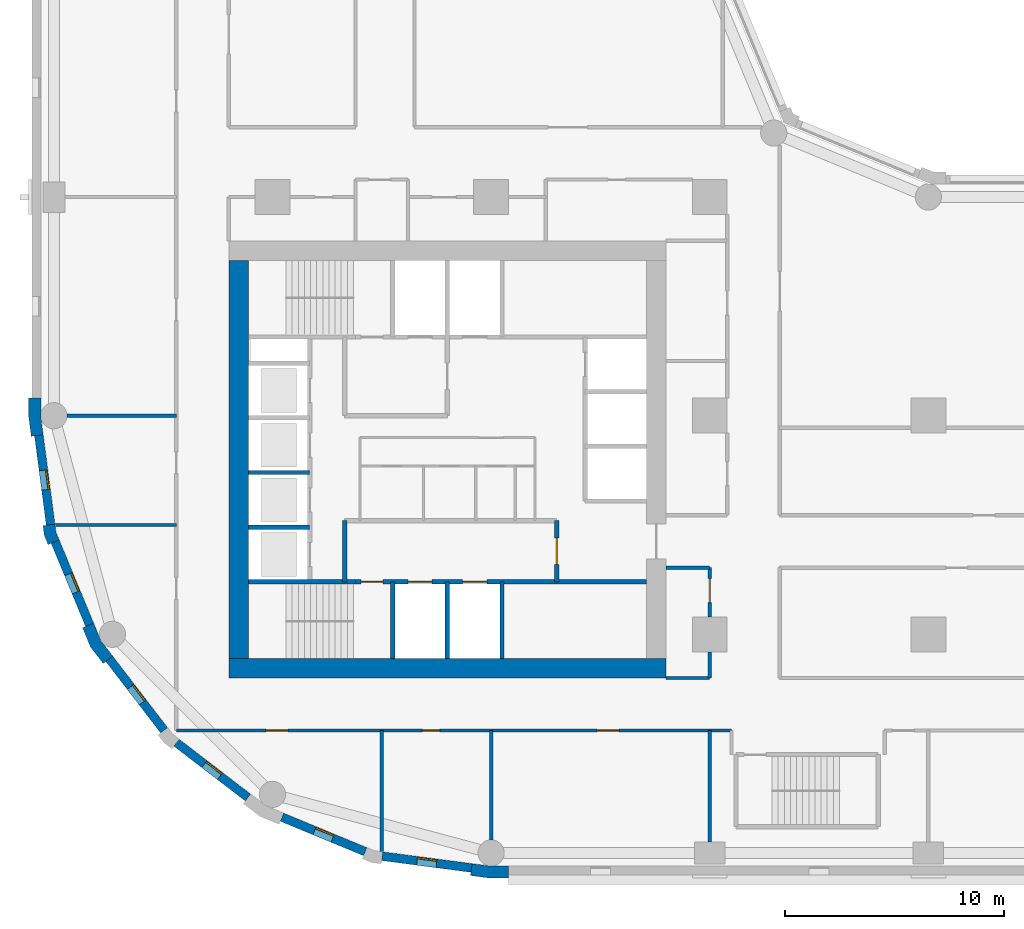
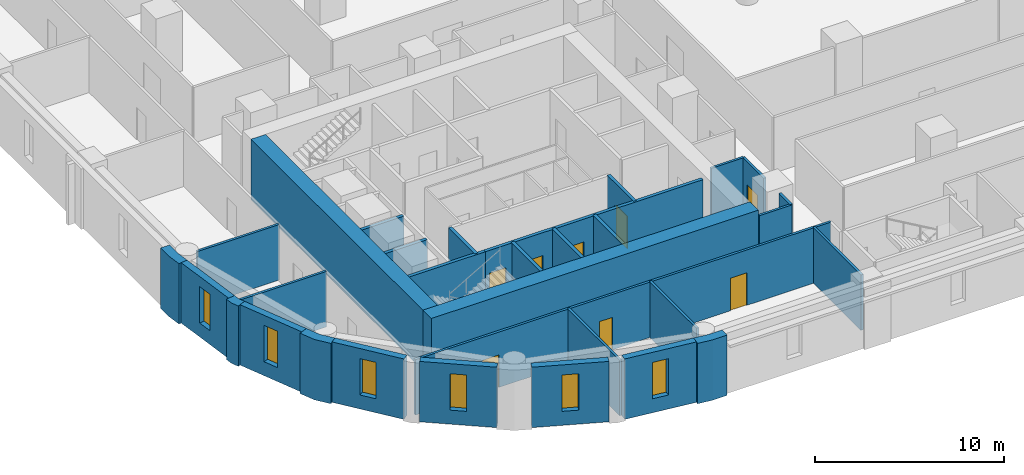
# One storey, part 2 of 11: 31 walls, 8 doors, 6 windows, 14 openings.
"""IFC4 building model written with IfcOpenShell, lengths in metres."""

from ifc_helpers import new_model, si_unit, direction, frame, frame_2d, origin, place, context, subcontext, project, spatial, polyline, rectangle, outline, extrude, material, layer, layer_set, type_object, element, fill, save


model = new_model("IFC4")

# Units and contexts
model_context = context("Model", 3, precision=1e-05, world=origin(), true_north=direction((0.0, 1.0)))
body_context = subcontext(model_context, "Body", "Model", "MODEL_VIEW")
ifc_project = project(units=[si_unit("LENGTHUNIT", "METRE"), si_unit("AREAUNIT", "SQUARE_METRE"), si_unit("VOLUMEUNIT", "CUBIC_METRE"), si_unit("PLANEANGLEUNIT", "RADIAN"), si_unit("MASSUNIT", "GRAM", prefix="KILO")], contexts=[model_context])

# Site, building, storey
site_placement = place(None, origin())
site = spatial("IfcSite", under=ifc_project, at=site_placement, CompositionType="ELEMENT")
building_placement = place(site_placement, origin())
building = spatial("IfcBuilding", under=site, at=building_placement, Name="Qaws Garden Tower", CompositionType="ELEMENT")
storey_placement = place(building_placement, frame((0.0, 0.0, 31.5)))
storey = spatial("IfcBuildingStorey", under=building, at=storey_placement, Name="L07", CompositionType="ELEMENT", Elevation=31.5)

# Wall, opening, window
ifc_material_1 = material(Name="Clay facing brick masonry", Category="masonry")
ifc_layer_1 = layer(ifc_material_1, 0.39990234375)
ifc_layer_set_1 = layer_set([ifc_layer_1], Name="Clay facing brick masonry")
wall_type_1 = type_object("IfcWallType", Name="Brick infill wall 400", PredefinedType="SOLIDWALL", material=ifc_layer_set_1)
wall_1_placement = place(storey_placement, frame((-0.688720703125, 19.102294921875, 0.0), z_axis=(0.0, 0.0, 1.0), x_axis=(0.130514280502, -0.991446429508, 0.0)))
wall_1 = element("IfcWall", 1, at=wall_1_placement, inside=storey, type_object=wall_type_1, Name="E-L07-infill-27", PredefinedType="SOLIDWALL", context=body_context, shape_type="SweptSolid", body=[
    extrude(rectangle(XDim=4.120849609375, YDim=0.39990234375, at=frame_2d((2.060546875, 0.0))), origin(), (0.0, 0.0, 1.0), 3.89990234375),
])
opening_1_placement = place(wall_1_placement, frame((1.610595703125, 0.0, 0.89990234375)))
opening_1 = element("IfcOpeningElement", 2, at=opening_1_placement, cuts=wall_1, Name="Opening W09", PredefinedType="OPENING", context=body_context, shape_type="SweptSolid", body=[
    extrude(rectangle(XDim=0.89990234375, YDim=2.35009765625, at=frame_2d((0.449951171875, 1.175048828125))), frame((0.0, 0.2099609375, 0.0), z_axis=(0.0, -1.0, 0.0), x_axis=(1.0, 0.0, 0.0)), (0.0, 0.0, 1.0), 0.419921875),
])
ifc_material_2 = material(Name="Aluminium framed window, clear glazing", Category="aluminium")
window_type = type_object("IfcWindowType", Name="Slit window 900 x 2350", PartitioningType="SINGLE_PANEL", PredefinedType="WINDOW", material=ifc_material_2)
window_1_placement = place(opening_1_placement, origin())
window_1 = element("IfcWindow", 3, at=window_1_placement, inside=storey, type_object=window_type, Name="E-L07-window-27-0", OverallHeight=2.35009765625, OverallWidth=0.89990234375, PartitioningType="SINGLE_PANEL", PredefinedType="WINDOW", context=body_context, shape_type="SweptSolid", body=[
    extrude(rectangle(XDim=0.89990234375, YDim=2.35009765625, at=frame_2d((0.449951171875, 1.175048828125))), frame((0.0, 0.159912109375, 0.0), z_axis=(0.0, -1.0, 0.0), x_axis=(1.0, 0.0, 0.0)), (0.0, 0.0, 1.0), 0.06005859375),
])
fill(opening_1, window_1)

wall_2_placement = place(storey_placement, frame((0.05712890625, 14.240234375, 0.0), z_axis=(0.0, 0.0, 1.0), x_axis=(0.382721546029, -0.923863744394, 0.0)))
wall_2 = element("IfcWall", 4, at=wall_2_placement, inside=storey, type_object=wall_type_1, Name="E-L07-infill-28", PredefinedType="SOLIDWALL", context=body_context, shape_type="SweptSolid", body=[
    extrude(rectangle(XDim=4.120849609375, YDim=0.39990234375, at=frame_2d((2.060546875, 0.0))), origin(), (0.0, 0.0, 1.0), 3.89990234375),
])
opening_2_placement = place(wall_2_placement, frame((1.610595703125, 0.0, 0.89990234375)))
opening_2 = element("IfcOpeningElement", 5, at=opening_2_placement, cuts=wall_2, Name="Opening W09", PredefinedType="OPENING", context=body_context, shape_type="SweptSolid", body=[
    extrude(rectangle(XDim=0.89990234375, YDim=2.35009765625, at=frame_2d((0.449951171875, 1.175048828125))), frame((0.0, 0.2099609375, 0.0), z_axis=(0.0, -1.0, 0.0), x_axis=(1.0, 0.0, 0.0)), (0.0, 0.0, 1.0), 0.419921875),
])
window_2_placement = place(opening_2_placement, origin())
window_2 = element("IfcWindow", 6, at=window_2_placement, inside=storey, type_object=window_type, Name="E-L07-window-28-0", OverallHeight=2.35009765625, OverallWidth=0.89990234375, PartitioningType="SINGLE_PANEL", PredefinedType="WINDOW", context=body_context, shape_type="SweptSolid", body=[
    extrude(rectangle(XDim=0.89990234375, YDim=2.35009765625, at=frame_2d((0.449951171875, 1.175048828125))), frame((0.0, 0.159912109375, 0.0), z_axis=(0.0, -1.0, 0.0), x_axis=(1.0, 0.0, 0.0)), (0.0, 0.0, 1.0), 0.06005859375),
])
fill(opening_2, window_2)

wall_3_placement = place(storey_placement, frame((2.53173828125, 8.87841796875, 0.0), z_axis=(0.0, 0.0, 1.0), x_axis=(0.608759824817, -0.793354571229, 0.0)))
wall_3 = element("IfcWall", 7, at=wall_3_placement, inside=storey, type_object=wall_type_1, Name="E-L07-infill-29", PredefinedType="SOLIDWALL", context=body_context, shape_type="SweptSolid", body=[
    extrude(rectangle(XDim=4.12109375, YDim=0.39990234375, at=frame_2d((2.060546875, 0.0))), origin(), (0.0, 0.0, 1.0), 3.89990234375),
])
opening_3_placement = place(wall_3_placement, frame((1.610595703125, 0.0, 0.89990234375)))
opening_3 = element("IfcOpeningElement", 8, at=opening_3_placement, cuts=wall_3, Name="Opening W09", PredefinedType="OPENING", context=body_context, shape_type="SweptSolid", body=[
    extrude(rectangle(XDim=0.89990234375, YDim=2.35009765625, at=frame_2d((0.449951171875, 1.175048828125))), frame((0.0, 0.2099609375, 0.0), z_axis=(0.0, -1.0, 0.0), x_axis=(1.0, 0.0, 0.0)), (0.0, 0.0, 1.0), 0.419921875),
])
window_3_placement = place(opening_3_placement, origin())
window_3 = element("IfcWindow", 9, at=window_3_placement, inside=storey, type_object=window_type, Name="E-L07-window-29-0", OverallHeight=2.35009765625, OverallWidth=0.89990234375, PartitioningType="SINGLE_PANEL", PredefinedType="WINDOW", context=body_context, shape_type="SweptSolid", body=[
    extrude(rectangle(XDim=0.89990234375, YDim=2.35009765625, at=frame_2d((0.449951171875, 1.175048828125))), frame((0.0, 0.159912109375, 0.0), z_axis=(0.0, -1.0, 0.0), x_axis=(1.0, 0.0, 0.0)), (0.0, 0.0, 1.0), 0.06005859375),
])
fill(opening_3, window_3)

wall_4_placement = place(storey_placement, frame((5.60888671875, 5.04052734375, 0.0), z_axis=(0.0, 0.0, 1.0), x_axis=(0.793354571229, -0.608759824817, 0.0)))
wall_4 = element("IfcWall", 10, at=wall_4_placement, inside=storey, type_object=wall_type_1, Name="E-L07-infill-30", PredefinedType="SOLIDWALL", context=body_context, shape_type="SweptSolid", body=[
    extrude(rectangle(XDim=4.12109375, YDim=0.39990234375, at=frame_2d((2.060546875, 0.0))), origin(), (0.0, 0.0, 1.0), 3.89990234375),
])
opening_4_placement = place(wall_4_placement, frame((1.610595703125, 0.0, 0.89990234375)))
opening_4 = element("IfcOpeningElement", 11, at=opening_4_placement, cuts=wall_4, Name="Opening W09", PredefinedType="OPENING", context=body_context, shape_type="SweptSolid", body=[
    extrude(rectangle(XDim=0.89990234375, YDim=2.35009765625, at=frame_2d((0.449951171875, 1.175048828125))), frame((0.0, 0.2099609375, 0.0), z_axis=(0.0, -1.0, 0.0), x_axis=(1.0, 0.0, 0.0)), (0.0, 0.0, 1.0), 0.419921875),
])
window_4_placement = place(opening_4_placement, origin())
window_4 = element("IfcWindow", 12, at=window_4_placement, inside=storey, type_object=window_type, Name="E-L07-window-30-0", OverallHeight=2.35009765625, OverallWidth=0.89990234375, PartitioningType="SINGLE_PANEL", PredefinedType="WINDOW", context=body_context, shape_type="SweptSolid", body=[
    extrude(rectangle(XDim=0.89990234375, YDim=2.35009765625, at=frame_2d((0.449951171875, 1.175048828125))), frame((0.0, 0.159912109375, 0.0), z_axis=(0.0, -1.0, 0.0), x_axis=(1.0, 0.0, 0.0)), (0.0, 0.0, 1.0), 0.06005859375),
])
fill(opening_4, window_4)

wall_5_placement = place(storey_placement, frame((10.43310546875, 1.63427734375, 0.0), z_axis=(0.0, 0.0, 1.0), x_axis=(0.923863744394, -0.382721546029, 0.0)))
wall_5 = element("IfcWall", 13, at=wall_5_placement, inside=storey, type_object=wall_type_1, Name="E-L07-infill-31", PredefinedType="SOLIDWALL", context=body_context, shape_type="SweptSolid", body=[
    extrude(rectangle(XDim=4.120849609375, YDim=0.39990234375, at=frame_2d((2.060546875, 0.0))), origin(), (0.0, 0.0, 1.0), 3.89990234375),
])
opening_5_placement = place(wall_5_placement, frame((1.610595703125, 0.0, 0.89990234375)))
opening_5 = element("IfcOpeningElement", 14, at=opening_5_placement, cuts=wall_5, Name="Opening W09", PredefinedType="OPENING", context=body_context, shape_type="SweptSolid", body=[
    extrude(rectangle(XDim=0.89990234375, YDim=2.35009765625, at=frame_2d((0.449951171875, 1.175048828125))), frame((0.0, 0.2099609375, 0.0), z_axis=(0.0, -1.0, 0.0), x_axis=(1.0, 0.0, 0.0)), (0.0, 0.0, 1.0), 0.419921875),
])
window_5_placement = place(opening_5_placement, origin())
window_5 = element("IfcWindow", 15, at=window_5_placement, inside=storey, type_object=window_type, Name="E-L07-window-31-0", OverallHeight=2.35009765625, OverallWidth=0.89990234375, PartitioningType="SINGLE_PANEL", PredefinedType="WINDOW", context=body_context, shape_type="SweptSolid", body=[
    extrude(rectangle(XDim=0.89990234375, YDim=2.35009765625, at=frame_2d((0.449951171875, 1.175048828125))), frame((0.0, 0.159912109375, 0.0), z_axis=(0.0, -1.0, 0.0), x_axis=(1.0, 0.0, 0.0)), (0.0, 0.0, 1.0), 0.06005859375),
])
fill(opening_5, window_5)

wall_6_placement = place(storey_placement, frame((15.0166015625, -0.15087890625, 0.0), z_axis=(0.0, 0.0, 1.0), x_axis=(0.991446429508, -0.130514280502, 0.0)))
wall_6 = element("IfcWall", 16, at=wall_6_placement, inside=storey, type_object=wall_type_1, Name="E-L07-infill-32", PredefinedType="SOLIDWALL", context=body_context, shape_type="SweptSolid", body=[
    extrude(rectangle(XDim=4.120849609375, YDim=0.39990234375, at=frame_2d((2.060546875, 0.0))), origin(), (0.0, 0.0, 1.0), 3.89990234375),
])
opening_6_placement = place(wall_6_placement, frame((1.610595703125, 0.0, 0.89990234375)))
opening_6 = element("IfcOpeningElement", 17, at=opening_6_placement, cuts=wall_6, Name="Opening W09", PredefinedType="OPENING", context=body_context, shape_type="SweptSolid", body=[
    extrude(rectangle(XDim=0.89990234375, YDim=2.35009765625, at=frame_2d((0.449951171875, 1.175048828125))), frame((0.0, 0.2099609375, 0.0), z_axis=(0.0, -1.0, 0.0), x_axis=(1.0, 0.0, 0.0)), (0.0, 0.0, 1.0), 0.419921875),
])
window_6_placement = place(opening_6_placement, origin())
window_6 = element("IfcWindow", 18, at=window_6_placement, inside=storey, type_object=window_type, Name="E-L07-window-32-0", OverallHeight=2.35009765625, OverallWidth=0.89990234375, PartitioningType="SINGLE_PANEL", PredefinedType="WINDOW", context=body_context, shape_type="SweptSolid", body=[
    extrude(rectangle(XDim=0.89990234375, YDim=2.35009765625, at=frame_2d((0.449951171875, 1.175048828125))), frame((0.0, 0.159912109375, 0.0), z_axis=(0.0, -1.0, 0.0), x_axis=(1.0, 0.0, 0.0)), (0.0, 0.0, 1.0), 0.06005859375),
])
fill(opening_6, window_6)

# Walls
ifc_material_3 = material(Name="Clay facing brick masonry", Category="masonry")
ifc_layer_2 = layer(ifc_material_3, 0.550048828125)
ifc_layer_set_2 = layer_set([ifc_layer_2], Name="Clay facing brick masonry")
wall_type_2 = type_object("IfcWallType", Name="Brick kink pier 550 x 600", PredefinedType="SOLIDWALL", material=ifc_layer_set_2)
placement = place(storey_placement, origin())
element("IfcWall", 19, at=placement, inside=storey, type_object=wall_type_2, Name="E-L07-pier-28", PredefinedType="SOLIDWALL", context=body_context, shape_type="SweptSolid", body=[
    extrude(outline(polyline([(-0.34912109375, 14.990478515625), (-0.497802734375, 14.970947265625), (-0.43896484375, 14.5234375), (-0.26611328125, 14.1064453125), (-0.127685546875, 14.163818359375), (0.241943359375, 14.31689453125), (0.096923828125, 14.6669921875), (0.04736328125, 15.042724609375), (-0.34912109375, 14.990478515625)])), origin(), (0.0, 0.0, 1.0), 3.89990234375),
])
ifc_material_4 = material(Name="Clay facing brick masonry", Category="masonry")
ifc_layer_3 = layer(ifc_material_4, 0.550048828125)
ifc_layer_set_3 = layer_set([ifc_layer_3], Name="Clay facing brick masonry")
wall_type_3 = type_object("IfcWallType", Name="Brick pier 550 x 1600", PredefinedType="SOLIDWALL", material=ifc_layer_set_3)
element("IfcWall", 20, at=placement, inside=storey, type_object=wall_type_3, Name="E-L07-pier-00", PredefinedType="SOLIDWALL", context=body_context, shape_type="SweptSolid", body=[
    extrude(outline(polyline([(19.076416015625, -0.886962890625), (19.056640625, -1.03564453125), (19.924560546875, -1.14990234375), (20.800048828125, -1.14990234375), (20.800048828125, -1.0), (20.800048828125, -0.60009765625), (19.960693359375, -0.60009765625), (19.12841796875, -0.490478515625), (19.076416015625, -0.886962890625)])), origin(), (0.0, 0.0, 1.0), 3.89990234375),
])
element("IfcWall", 21, at=placement, inside=storey, type_object=wall_type_3, Name="E-L07-pier-27", PredefinedType="SOLIDWALL", context=body_context, shape_type="SweptSolid", body=[
    extrude(outline(polyline([(-1.0, 20.800048828125), (-1.14990234375, 20.800048828125), (-1.14990234375, 19.924560546875), (-1.03564453125, 19.056640625), (-0.886962890625, 19.076416015625), (-0.490478515625, 19.12841796875), (-0.60009765625, 19.960693359375), (-0.60009765625, 20.800048828125), (-1.0, 20.800048828125)])), origin(), (0.0, 0.0, 1.0), 3.89990234375),
])
element("IfcWall", 22, at=placement, inside=storey, type_object=wall_type_3, Name="E-L07-pier-29", PredefinedType="SOLIDWALL", context=body_context, shape_type="SweptSolid", body=[
    extrude(outline(polyline([(1.449462890625, 10.3564453125), (1.310791015625, 10.299072265625), (1.675048828125, 9.419921875), (2.254150390625, 8.665283203125), (2.373046875, 8.756591796875), (2.6904296875, 9.0), (2.1552734375, 9.697509765625), (1.819091796875, 10.509521484375), (1.449462890625, 10.3564453125)])), origin(), (0.0, 0.0, 1.0), 3.89990234375),
])
ifc_material_5 = material(Name="Concrete C80", Category="concrete")
ifc_layer_4 = layer(ifc_material_5, 0.199951171875)
ifc_layer_set_4 = layer_set([ifc_layer_4], Name="Concrete C80")
wall_type_4 = type_object("IfcWallType", Name="Core shaft wall 200 C80", PredefinedType="SHEAR", material=ifc_layer_set_4)
wall_11_placement = place(storey_placement, frame((8.89990234375, 12.39990234375, 0.0), z_axis=(0.0, 0.0, 1.0), x_axis=(1.0, 0.0, 0.0)))
element("IfcWall", 23, at=wall_11_placement, inside=storey, type_object=wall_type_4, Name="Shaft wall", PredefinedType="SHEAR", context=body_context, shape_type="SweptSolid", body=[
    extrude(rectangle(XDim=4.900146484375, YDim=0.199951171875, at=frame_2d((2.4501953125, 0.0))), origin(), (0.0, 0.0, 1.0), 3.580078125),
])

# Wall, openings, doors
wall_12_placement = place(storey_placement, frame((13.800048828125, 12.39990234375, 0.0), z_axis=(0.0, 0.0, 1.0), x_axis=(1.0, 0.0, 0.0)))
wall_12 = element("IfcWall", 24, at=wall_12_placement, inside=storey, type_object=wall_type_4, Name="Shaft wall", PredefinedType="SHEAR", context=body_context, shape_type="SweptSolid", body=[
    extrude(rectangle(XDim=13.300048828125, YDim=0.199951171875, at=frame_2d((6.64990234375, 0.0))), origin(), (0.0, 0.0, 1.0), 3.580078125),
])
opening_7_placement = place(wall_12_placement, frame((2.39990234375, 0.0, 0.0)))
opening_7 = element("IfcOpeningElement", 25, at=opening_7_placement, cuts=wall_12, Name="Opening LD06", PredefinedType="OPENING", context=body_context, shape_type="SweptSolid", body=[
    extrude(rectangle(XDim=1.10009765625, YDim=2.10009765625, at=frame_2d((0.550048828125, 1.050048828125))), frame((0.0, 0.10986328125, 0.0), z_axis=(0.0, -1.0, 0.0), x_axis=(1.0, 0.0, 0.0)), (0.0, 0.0, 1.0), 0.219970703125),
])
opening_8_placement = place(wall_12_placement, frame((4.89990234375, 0.0, 0.0)))
opening_8 = element("IfcOpeningElement", 26, at=opening_8_placement, cuts=wall_12, Name="Opening LD07", PredefinedType="OPENING", context=body_context, shape_type="SweptSolid", body=[
    extrude(rectangle(XDim=1.10009765625, YDim=2.10009765625, at=frame_2d((0.550048828125, 1.050048828125))), frame((0.0, 0.10986328125, 0.0), z_axis=(0.0, -1.0, 0.0), x_axis=(1.0, 0.0, 0.0)), (0.0, 0.0, 1.0), 0.219970703125),
])
opening_9_placement = place(wall_12_placement, frame((0.25, 0.0, 0.0)))
opening_9 = element("IfcOpeningElement", 27, at=opening_9_placement, cuts=wall_12, Name="Opening SD10", PredefinedType="OPENING", context=body_context, shape_type="SweptSolid", body=[
    extrude(rectangle(XDim=1.0, YDim=2.10009765625, at=frame_2d((0.5, 1.050048828125))), frame((0.0, 0.10986328125, 0.0), z_axis=(0.0, -1.0, 0.0), x_axis=(1.0, 0.0, 0.0)), (0.0, 0.0, 1.0), 0.219970703125),
])
ifc_material_6 = material(Name="Steel S235", Category="steel")
door_type_1 = type_object("IfcDoorType", Name="Landing door 1100x2100", OperationType="DOUBLE_DOOR_SLIDING", PredefinedType="DOOR", material=ifc_material_6)
door_1_placement = place(opening_7_placement, origin())
door_1 = element("IfcDoor", 28, at=door_1_placement, inside=storey, type_object=door_type_1, Name="Lift FF1 landing door", OperationType="DOUBLE_DOOR_SLIDING", OverallHeight=2.10009765625, OverallWidth=1.10009765625, PredefinedType="DOOR", context=body_context, shape_type="SweptSolid", body=[
    extrude(rectangle(XDim=1.10009765625, YDim=2.10009765625, at=frame_2d((0.550048828125, 1.050048828125))), frame((0.0, 0.02490234375, 0.0), z_axis=(0.0, -1.0, 0.0), x_axis=(1.0, 0.0, 0.0)), (0.0, 0.0, 1.0), 0.050048828125),
])
fill(opening_7, door_1)
door_2_placement = place(opening_8_placement, origin())
door_2 = element("IfcDoor", 29, at=door_2_placement, inside=storey, type_object=door_type_1, Name="Lift FF2 landing door", OperationType="DOUBLE_DOOR_SLIDING", OverallHeight=2.10009765625, OverallWidth=1.10009765625, PredefinedType="DOOR", context=body_context, shape_type="SweptSolid", body=[
    extrude(rectangle(XDim=1.10009765625, YDim=2.10009765625, at=frame_2d((0.550048828125, 1.050048828125))), frame((0.0, 0.02490234375, 0.0), z_axis=(0.0, -1.0, 0.0), x_axis=(1.0, 0.0, 0.0)), (0.0, 0.0, 1.0), 0.050048828125),
])
fill(opening_8, door_2)
ifc_material_7 = material(Name="Steel S235", Category="steel")
door_type_2 = type_object("IfcDoorType", Name="Stair door 1000x2100", OperationType="SINGLE_SWING_RIGHT", PredefinedType="DOOR", material=ifc_material_7)
door_3_placement = place(opening_9_placement, frame((1.0, 0.0, 0.0), z_axis=(0.0, 0.0, 1.0), x_axis=(-1.0, 0.0, 0.0)))
door_3 = element("IfcDoor", 30, at=door_3_placement, inside=storey, type_object=door_type_2, Name="Stair 1 door", OperationType="SINGLE_SWING_LEFT", OverallHeight=2.10009765625, OverallWidth=1.0, PredefinedType="DOOR", context=body_context, shape_type="SweptSolid", body=[
    extrude(rectangle(XDim=1.0, YDim=2.10009765625, at=frame_2d((0.5, 1.050048828125))), frame((0.0, 0.02490234375, 0.0), z_axis=(0.0, -1.0, 0.0), x_axis=(1.0, 0.0, 0.0)), (0.0, 0.0, 1.0), 0.050048828125),
])
fill(opening_9, door_3)

# Walls
for number, where, z_axis, x_axis, name in (
    (31, (8.89990234375, 14.89990234375, 0.0), (0.0, 0.0, 1.0), (1.0, 0.0, 0.0), "Shaft wall"),
    (32, (8.89990234375, 17.39990234375, 0.0), (0.0, 0.0, 1.0), (1.0, 0.0, 0.0), "Shaft wall"),
    (33, (13.300048828125, 12.39990234375, 0.0), (0.0, 0.0, 1.0), (0.0, 1.0, 0.0), "Shaft wall"),
):
    element("IfcWall", number, at=place(storey_placement, frame(where, z_axis=z_axis, x_axis=x_axis)), inside=storey, type_object=wall_type_4, Name=name, PredefinedType="SHEAR", context=body_context, shape_type="SweptSolid", body=[
        extrude(rectangle(XDim=2.800048828125, YDim=0.199951171875, at=frame_2d((1.39990234375, 0.0))), origin(), (0.0, 0.0, 1.0), 3.580078125),
    ])
for number, where, z_axis, x_axis, name in (
    (34, (15.5, 8.89990234375, 0.0), (0.0, 0.0, 1.0), (0.0, 1.0, 0.0), "Shaft wall"),
    (35, (18.0, 8.89990234375, 0.0), (0.0, 0.0, 1.0), (0.0, 1.0, 0.0), "Shaft wall"),
    (36, (20.5, 8.89990234375, 0.0), (0.0, 0.0, 1.0), (0.0, 1.0, 0.0), "Shaft wall"),
):
    element("IfcWall", number, at=place(storey_placement, frame(where, z_axis=z_axis, x_axis=x_axis)), inside=storey, type_object=wall_type_4, Name=name, PredefinedType="SHEAR", context=body_context, shape_type="SweptSolid", body=[
        extrude(rectangle(XDim=3.5, YDim=0.199951171875, at=frame_2d((1.75, 0.0))), origin(), (0.0, 0.0, 1.0), 3.580078125),
    ])

# Wall, opening, door
wall_13_placement = place(storey_placement, frame((23.0, 12.39990234375, 0.0), z_axis=(0.0, 0.0, 1.0), x_axis=(0.0, 1.0, 0.0)))
wall_13 = element("IfcWall", 37, at=wall_13_placement, inside=storey, type_object=wall_type_4, Name="Shaft wall", PredefinedType="SHEAR", context=body_context, shape_type="SweptSolid", body=[
    extrude(rectangle(XDim=2.800048828125, YDim=0.199951171875, at=frame_2d((1.39990234375, 0.0))), origin(), (0.0, 0.0, 1.0), 3.580078125),
])
opening_10_placement = place(wall_13_placement, frame((0.800048828125, 0.0, 0.0)))
opening_10 = element("IfcOpeningElement", 38, at=opening_10_placement, cuts=wall_13, Name="Opening FD15", PredefinedType="OPENING", context=body_context, shape_type="SweptSolid", body=[
    extrude(rectangle(XDim=1.199951171875, YDim=2.10009765625, at=frame_2d((0.60009765625, 1.050048828125))), frame((0.0, 0.10986328125, 0.0), z_axis=(0.0, -1.0, 0.0), x_axis=(1.0, 0.0, 0.0)), (0.0, 0.0, 1.0), 0.219970703125),
])
ifc_material_8 = material(Name="Steel S235", Category="steel")
door_type_3 = type_object("IfcDoorType", Name="Lobby door 1200x2100", OperationType="DOUBLE_DOOR_SINGLE_SWING", PredefinedType="DOOR", material=ifc_material_8)
door_4_placement = place(opening_10_placement, origin())
door_4 = element("IfcDoor", 39, at=door_4_placement, inside=storey, type_object=door_type_3, Name="Fire-fighting lobby door", OperationType="DOUBLE_DOOR_SINGLE_SWING", OverallHeight=2.10009765625, OverallWidth=1.199951171875, PredefinedType="DOOR", context=body_context, shape_type="SweptSolid", body=[
    extrude(rectangle(XDim=1.199951171875, YDim=2.10009765625, at=frame_2d((0.60009765625, 1.050048828125))), frame((0.0, 0.02490234375, 0.0), z_axis=(0.0, -1.0, 0.0), x_axis=(1.0, 0.0, 0.0)), (0.0, 0.0, 1.0), 0.050048828125),
])
fill(opening_10, door_4)

# Walls
ifc_material_9 = material(Name="Concrete C80", Category="concrete")
ifc_layer_5 = layer(ifc_material_9, 0.89990234375)
ifc_layer_set_5 = layer_set([ifc_layer_5], Name="Concrete C80")
wall_type_5 = type_object("IfcWallType", Name="Core wall 900 C80", PredefinedType="SHEAR", material=ifc_layer_set_5)
wall_14_placement = place(storey_placement, frame((8.0, 8.449951171875, 0.0), z_axis=(0.0, 0.0, 1.0), x_axis=(1.0, 0.0, 0.0)))
element("IfcWall", 40, at=wall_14_placement, inside=storey, type_object=wall_type_5, Name="Core wall L07 south", PredefinedType="SHEAR", context=body_context, shape_type="SweptSolid", body=[
    extrude(rectangle(XDim=20.0, YDim=0.89990234375, at=frame_2d((10.0, 0.0))), origin(), (0.0, 0.0, 1.0), 3.89990234375),
])
wall_15_placement = place(storey_placement, frame((8.449951171875, 27.10009765625, 0.0), z_axis=(0.0, 0.0, 1.0), x_axis=(0.0, -1.0, 0.0)))
element("IfcWall", 41, at=wall_15_placement, inside=storey, type_object=wall_type_5, Name="Core wall L07 west", PredefinedType="SHEAR", context=body_context, shape_type="SweptSolid", body=[
    extrude(rectangle(XDim=18.2001953125, YDim=0.89990234375, at=frame_2d((9.10009765625, 0.0))), origin(), (0.0, 0.0, 1.0), 3.89990234375),
])
ifc_material_10 = material(Name="Gypsum board partition")
ifc_layer_6 = layer(ifc_material_10, 0.14990234375)
ifc_layer_set_6 = layer_set([ifc_layer_6], Name="Gypsum board partition")
wall_type_6 = type_object("IfcWallType", Name="PARTITION 150 EI 60", PredefinedType="PARTITIONING", material=ifc_layer_set_6)
wall_16_placement = place(storey_placement, frame((15.0, 0.06298828125, 0.0), z_axis=(0.0, 0.0, 1.0), x_axis=(0.0, 1.0, 0.0)))
element("IfcWall", 42, at=wall_16_placement, inside=storey, type_object=wall_type_6, Name="O-L07-wall-011", PredefinedType="PARTITIONING", context=body_context, shape_type="SweptSolid", body=[
    extrude(rectangle(XDim=5.537109375, YDim=0.14990234375, at=frame_2d((2.7685546875, 0.0))), origin(), (0.0, 0.0, 1.0), 3.580078125),
])
wall_17_placement = place(storey_placement, frame((20.0, 0.60009765625, 0.0), z_axis=(0.0, 0.0, 1.0), x_axis=(0.0, 1.0, 0.0)))
element("IfcWall", 43, at=wall_17_placement, inside=storey, type_object=wall_type_6, Name="O-L07-wall-015", PredefinedType="PARTITIONING", context=body_context, shape_type="SweptSolid", body=[
    extrude(rectangle(XDim=5.0, YDim=0.14990234375, at=frame_2d((2.5, 0.0))), origin(), (0.0, 0.0, 1.0), 3.580078125),
])
wall_18_placement = place(storey_placement, frame((30.0, 0.5, 0.0), z_axis=(0.0, 0.0, 1.0), x_axis=(0.0, 1.0, 0.0)))
element("IfcWall", 44, at=wall_18_placement, inside=storey, type_object=wall_type_6, Name="O-L07-wall-018", PredefinedType="PARTITIONING", context=body_context, shape_type="SweptSolid", body=[
    extrude(rectangle(XDim=5.10009765625, YDim=0.14990234375, at=frame_2d((2.550048828125, 0.0))), origin(), (0.0, 0.0, 1.0), 3.580078125),
])
wall_19_placement = place(storey_placement, frame((30.0, 8.0, 0.0), z_axis=(0.0, 0.0, 1.0), x_axis=(0.0, 1.0, 0.0)))
element("IfcWall", 45, at=wall_19_placement, inside=storey, type_object=wall_type_6, Name="O-L07-wall-019", PredefinedType="PARTITIONING", context=body_context, shape_type="SweptSolid", body=[
    extrude(rectangle(XDim=1.199951171875, YDim=0.14990234375, at=frame_2d((0.60009765625, 0.0))), origin(), (0.0, 0.0, 1.0), 3.580078125),
])

# Wall, opening, door
wall_20_placement = place(storey_placement, frame((30.0, 10.800048828125, 0.0), z_axis=(0.0, 0.0, 1.0), x_axis=(0.0, 1.0, 0.0)))
wall_20 = element("IfcWall", 46, at=wall_20_placement, inside=storey, type_object=wall_type_6, Name="O-L07-wall-020", PredefinedType="PARTITIONING", context=body_context, shape_type="SweptSolid", body=[
    extrude(rectangle(XDim=2.25, YDim=0.14990234375, at=frame_2d((1.125, 0.0))), origin(), (0.0, 0.0, 1.0), 3.580078125),
])
opening_11_placement = place(wall_20_placement, frame((0.64990234375, 0.0, 0.0)))
opening_11 = element("IfcOpeningElement", 47, at=opening_11_placement, cuts=wall_20, Name="Opening A210", PredefinedType="OPENING", context=body_context, shape_type="SweptSolid", body=[
    extrude(rectangle(XDim=1.10009765625, YDim=2.10009765625, at=frame_2d((0.550048828125, 1.050048828125))), frame((0.0, 0.0849609375, 0.0), z_axis=(0.0, -1.0, 0.0), x_axis=(1.0, 0.0, 0.0)), (0.0, 0.0, 1.0), 0.169921875),
])
ifc_material_11 = material(Name="Timber door leaf", Category="wood")
door_type_4 = type_object("IfcDoorType", Name="SERVICE ROOM DOOR 1100 X 2100", OperationType="SINGLE_SWING_LEFT", PredefinedType="DOOR", material=ifc_material_11)
door_5_placement = place(opening_11_placement, origin())
door_5 = element("IfcDoor", 48, at=door_5_placement, inside=storey, type_object=door_type_4, Name="O-L07-door-010", OperationType="SINGLE_SWING_RIGHT", OverallHeight=2.10009765625, OverallWidth=1.10009765625, PredefinedType="DOOR", context=body_context, shape_type="SweptSolid", body=[
    extrude(rectangle(XDim=1.10009765625, YDim=2.10009765625, at=frame_2d((0.550048828125, 1.050048828125))), frame((0.0, 0.02490234375, 0.0), z_axis=(0.0, -1.0, 0.0), x_axis=(1.0, 0.0, 0.0)), (0.0, 0.0, 1.0), 0.050048828125),
])
fill(opening_11, door_5)

# Wall, openings, doors
wall_21_placement = place(storey_placement, frame((5.60009765625, 5.60009765625, 0.0), z_axis=(0.0, 0.0, 1.0), x_axis=(1.0, 0.0, 0.0)))
wall_21 = element("IfcWall", 49, at=wall_21_placement, inside=storey, type_object=wall_type_6, Name="O-L07-wall-036", PredefinedType="PARTITIONING", context=body_context, shape_type="SweptSolid", body=[
    extrude(rectangle(XDim=25.39990234375, YDim=0.14990234375, at=frame_2d((12.699951171875, 0.0))), origin(), (0.0, 0.0, 1.0), 3.580078125),
])
opening_12_placement = place(wall_21_placement, frame((4.10009765625, 0.0, 0.0)))
opening_12 = element("IfcOpeningElement", 50, at=opening_12_placement, cuts=wall_21, Name="Opening A226", PredefinedType="OPENING", context=body_context, shape_type="SweptSolid", body=[
    extrude(rectangle(XDim=1.0, YDim=2.10009765625, at=frame_2d((0.5, 1.050048828125))), frame((0.0, 0.0849609375, 0.0), z_axis=(0.0, -1.0, 0.0), x_axis=(1.0, 0.0, 0.0)), (0.0, 0.0, 1.0), 0.169921875),
])
opening_13_placement = place(wall_21_placement, frame((11.25, 0.0, 0.0)))
opening_13 = element("IfcOpeningElement", 51, at=opening_13_placement, cuts=wall_21, Name="Opening A227", PredefinedType="OPENING", context=body_context, shape_type="SweptSolid", body=[
    extrude(rectangle(XDim=0.800048828125, YDim=2.10009765625, at=frame_2d((0.39990234375, 1.050048828125))), frame((0.0, 0.0849609375, 0.0), z_axis=(0.0, -1.0, 0.0), x_axis=(1.0, 0.0, 0.0)), (0.0, 0.0, 1.0), 0.169921875),
])
opening_14_placement = place(wall_21_placement, frame((19.25, 0.0, 0.0)))
opening_14 = element("IfcOpeningElement", 52, at=opening_14_placement, cuts=wall_21, Name="Opening A228", PredefinedType="OPENING", context=body_context, shape_type="SweptSolid", body=[
    extrude(rectangle(XDim=1.0, YDim=2.10009765625, at=frame_2d((0.5, 1.050048828125))), frame((0.0, 0.0849609375, 0.0), z_axis=(0.0, -1.0, 0.0), x_axis=(1.0, 0.0, 0.0)), (0.0, 0.0, 1.0), 0.169921875),
])
ifc_material_12 = material(Name="Timber door leaf", Category="wood")
door_type_5 = type_object("IfcDoorType", Name="STORE DOOR 800 X 2100", OperationType="SINGLE_SWING_LEFT", PredefinedType="DOOR", material=ifc_material_12)
door_6_placement = place(opening_13_placement, frame((0.800048828125, 0.0, 0.0), z_axis=(0.0, 0.0, 1.0), x_axis=(-1.0, 0.0, 0.0)))
door_6 = element("IfcDoor", 53, at=door_6_placement, inside=storey, type_object=door_type_5, Name="O-L07-door-027", OperationType="SINGLE_SWING_LEFT", OverallHeight=2.10009765625, OverallWidth=0.800048828125, PredefinedType="DOOR", context=body_context, shape_type="SweptSolid", body=[
    extrude(rectangle(XDim=0.800048828125, YDim=2.10009765625, at=frame_2d((0.39990234375, 1.050048828125))), frame((0.0, 0.02490234375, 0.0), z_axis=(0.0, -1.0, 0.0), x_axis=(1.0, 0.0, 0.0)), (0.0, 0.0, 1.0), 0.050048828125),
])
fill(opening_13, door_6)
ifc_material_13 = material(Name="Timber door leaf", Category="wood")
door_type_6 = type_object("IfcDoorType", Name="TENANCY ENTRANCE DOOR 1000 X 2100", OperationType="SINGLE_SWING_LEFT", PredefinedType="DOOR", material=ifc_material_13)
door_7_placement = place(opening_12_placement, frame((1.0, 0.0, 0.0), z_axis=(0.0, 0.0, 1.0), x_axis=(-1.0, 0.0, 0.0)))
door_7 = element("IfcDoor", 54, at=door_7_placement, inside=storey, type_object=door_type_6, Name="O-L07-door-026", OperationType="SINGLE_SWING_LEFT", OverallHeight=2.10009765625, OverallWidth=1.0, PredefinedType="DOOR", context=body_context, shape_type="SweptSolid", body=[
    extrude(rectangle(XDim=1.0, YDim=2.10009765625, at=frame_2d((0.5, 1.050048828125))), frame((0.0, 0.02490234375, 0.0), z_axis=(0.0, -1.0, 0.0), x_axis=(1.0, 0.0, 0.0)), (0.0, 0.0, 1.0), 0.050048828125),
])
fill(opening_12, door_7)
door_8_placement = place(opening_14_placement, frame((1.0, 0.0, 0.0), z_axis=(0.0, 0.0, 1.0), x_axis=(-1.0, 0.0, 0.0)))
door_8 = element("IfcDoor", 55, at=door_8_placement, inside=storey, type_object=door_type_6, Name="O-L07-door-028", OperationType="SINGLE_SWING_LEFT", OverallHeight=2.10009765625, OverallWidth=1.0, PredefinedType="DOOR", context=body_context, shape_type="SweptSolid", body=[
    extrude(rectangle(XDim=1.0, YDim=2.10009765625, at=frame_2d((0.5, 1.050048828125))), frame((0.0, 0.02490234375, 0.0), z_axis=(0.0, -1.0, 0.0), x_axis=(1.0, 0.0, 0.0)), (0.0, 0.0, 1.0), 0.050048828125),
])
fill(opening_14, door_8)

# Walls
for number, where, z_axis, x_axis, name in (
    (56, (28.0, 8.0, 0.0), (0.0, 0.0, 1.0), (1.0, 0.0, 0.0), "O-L07-wall-038"),
    (57, (28.0, 13.050048828125, 0.0), (0.0, 0.0, 1.0), (1.0, 0.0, 0.0), "O-L07-wall-040"),
):
    element("IfcWall", number, at=place(storey_placement, frame(where, z_axis=z_axis, x_axis=x_axis)), inside=storey, type_object=wall_type_6, Name=name, PredefinedType="PARTITIONING", context=body_context, shape_type="SweptSolid", body=[
        extrude(rectangle(XDim=2.0, YDim=0.14990234375, at=frame_2d((1.0, 0.0))), origin(), (0.0, 0.0, 1.0), 3.580078125),
    ])
wall_22_placement = place(storey_placement, frame((0.06298828125, 15.0, 0.0), z_axis=(0.0, 0.0, 1.0), x_axis=(1.0, 0.0, 0.0)))
element("IfcWall", 58, at=wall_22_placement, inside=storey, type_object=wall_type_6, Name="O-L07-wall-042", PredefinedType="PARTITIONING", context=body_context, shape_type="SweptSolid", body=[
    extrude(rectangle(XDim=5.537109375, YDim=0.14990234375, at=frame_2d((2.7685546875, 0.0))), origin(), (0.0, 0.0, 1.0), 3.580078125),
])
wall_23_placement = place(storey_placement, frame((0.60009765625, 20.0, 0.0), z_axis=(0.0, 0.0, 1.0), x_axis=(1.0, 0.0, 0.0)))
element("IfcWall", 59, at=wall_23_placement, inside=storey, type_object=wall_type_6, Name="O-L07-wall-048", PredefinedType="PARTITIONING", context=body_context, shape_type="SweptSolid", body=[
    extrude(rectangle(XDim=5.0, YDim=0.14990234375, at=frame_2d((2.5, 0.0))), origin(), (0.0, 0.0, 1.0), 3.580078125),
])

save(model, "model.ifc")
